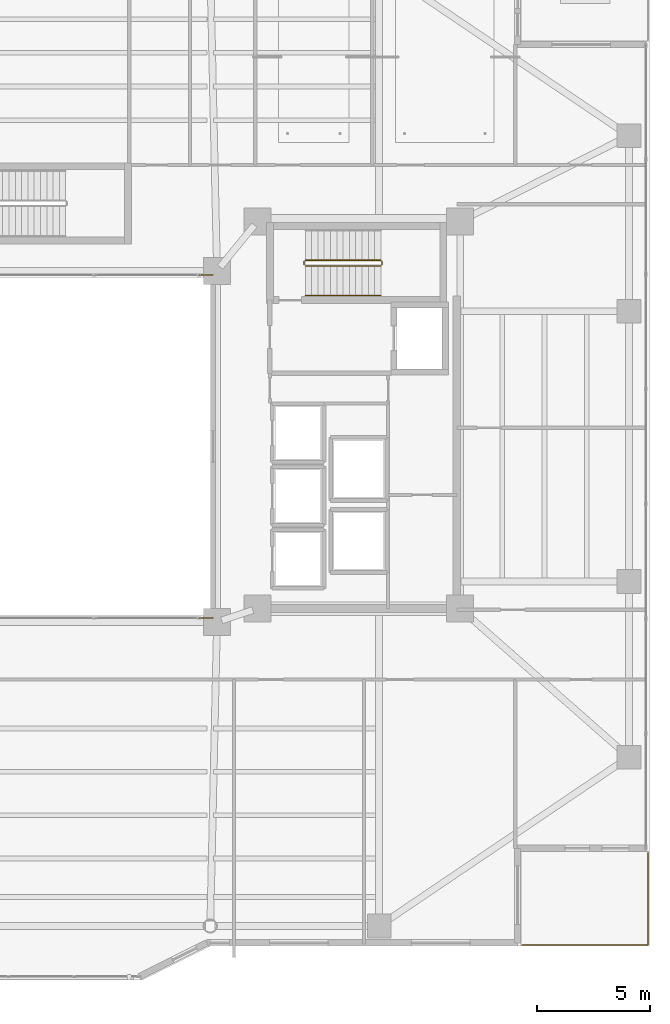
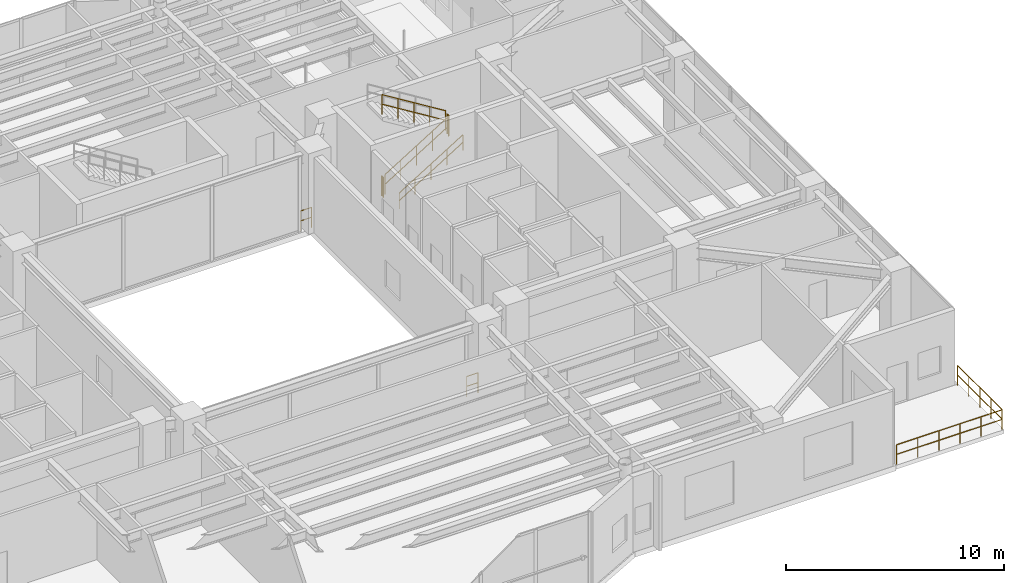
# One storey, part 35 of 37: 9 railings.
"""IFC4 building model written with IfcOpenShell, lengths in metres."""

from ifc_helpers import new_model, si_unit, direction, frame, origin, origin_2d, place, context, subcontext, project, spatial, circle, extrude, material, type_object, element, save


model = new_model("IFC4")

# Units and contexts
model_context = context("Model", 3, precision=1e-05, world=origin(), true_north=direction((0.0, 1.0)))
body_context = subcontext(model_context, "Body", "Model", "MODEL_VIEW")
ifc_project = project(units=[si_unit("LENGTHUNIT", "METRE"), si_unit("AREAUNIT", "SQUARE_METRE"), si_unit("VOLUMEUNIT", "CUBIC_METRE"), si_unit("PLANEANGLEUNIT", "RADIAN"), si_unit("MASSUNIT", "GRAM", prefix="KILO")], contexts=[model_context])

# Site, building, storey
site_placement = place(None, origin())
site = spatial("IfcSite", under=ifc_project, at=site_placement, CompositionType="ELEMENT")
building_placement = place(site_placement, origin())
building = spatial("IfcBuilding", under=site, at=building_placement, Name="Tarnavaz Court Tower", CompositionType="ELEMENT")
storey_placement = place(building_placement, frame((0.0, 0.0, 118.5)))
storey = spatial("IfcBuildingStorey", under=building, at=storey_placement, Name="L32", CompositionType="ELEMENT", Elevation=118.5)

# Railings
ifc_material_1 = material(Name="Anodised Aluminium 6063-T6 and Laminated Safety Glass", Category="aluminium")
railing_type_1 = type_object("IfcRailingType", Name="RL-BAL-1120", PredefinedType="BALUSTRADE", material=ifc_material_1)
railing_1_placement = place(storey_placement, frame((7.02001953125, -7.6201171875, 0.0)))
element("IfcRailing", 1, at=railing_1_placement, inside=storey, type_object=railing_type_1, Name="L32 Courtyard Corner Balustrade S-B", PredefinedType="BALUSTRADE", context=body_context, shape_type="SweptSolid", body=[
    extrude(circle(Radius=0.02392578125, at=origin_2d()), frame((0.0, 0.0, 1.1259765625), z_axis=(1.0, 0.0, 0.0), x_axis=(0.0, 1.0, 0.0)), (0.0, 0.0, 1.0), 0.60009765625),
    extrude(circle(Radius=0.02392578125, at=origin_2d()), frame((0.0, 0.0, 0.574951171875), z_axis=(1.0, 0.0, 0.0), x_axis=(0.0, 1.0, 0.0)), (0.0, 0.0, 1.0), 0.60009765625),
    extrude(circle(Radius=0.02099609375, at=origin_2d()), origin(), (0.0, 0.0, 1.0), 1.101806640625),
    extrude(circle(Radius=0.02099609375, at=origin_2d()), frame((0.60009765625, 0.0, 0.0)), (0.0, 0.0, 1.0), 1.101806640625),
])
railing_2_placement = place(storey_placement, frame((7.6201171875, 7.6201171875, 0.0)))
element("IfcRailing", 2, at=railing_2_placement, inside=storey, type_object=railing_type_1, Name="L32 Courtyard Corner Balustrade N-A", PredefinedType="BALUSTRADE", context=body_context, shape_type="SweptSolid", body=[
    extrude(circle(Radius=0.02392578125, at=origin_2d()), frame((0.0, 0.0, 1.1259765625), z_axis=(-1.0, 0.0, 0.0), x_axis=(0.0, -1.0, 0.0)), (0.0, 0.0, 1.0), 0.60009765625),
    extrude(circle(Radius=0.02392578125, at=origin_2d()), frame((0.0, 0.0, 0.574951171875), z_axis=(-1.0, 0.0, 0.0), x_axis=(0.0, -1.0, 0.0)), (0.0, 0.0, 1.0), 0.60009765625),
    extrude(circle(Radius=0.02099609375, at=origin_2d()), origin(), (0.0, 0.0, 1.0), 1.101806640625),
    extrude(circle(Radius=0.02099609375, at=origin_2d()), frame((-0.60009765625, 0.0, 0.0)), (0.0, 0.0, 1.0), 1.101806640625),
])
railing_3_placement = place(storey_placement, frame((21.360107421875, -22.139892578125, 0.0)))
element("IfcRailing", 3, at=railing_3_placement, inside=storey, type_object=railing_type_1, Name="L32 Terrace 3 S Perimeter Balustrade", PredefinedType="BALUSTRADE", context=body_context, shape_type="SweptSolid", body=[
    extrude(circle(Radius=0.02392578125, at=origin_2d()), frame((0.0, 0.0, 1.09619140625), z_axis=(1.0, 0.0, 0.0), x_axis=(0.0, 1.0, 0.0)), (0.0, 0.0, 1.0), 5.579833984375),
    extrude(circle(Radius=0.02392578125, at=origin_2d()), frame((0.0, 0.0, 0.56005859375), z_axis=(1.0, 0.0, 0.0), x_axis=(0.0, 1.0, 0.0)), (0.0, 0.0, 1.0), 5.579833984375),
    extrude(circle(Radius=0.02099609375, at=origin_2d()), origin(), (0.0, 0.0, 1.0), 1.072021484375),
    extrude(circle(Radius=0.02099609375, at=origin_2d()), frame((1.115966796875, 0.0, 0.0)), (0.0, 0.0, 1.0), 1.072021484375),
    extrude(circle(Radius=0.02099609375, at=origin_2d()), frame((2.23193359375, 0.0, 0.0)), (0.0, 0.0, 1.0), 1.072021484375),
    extrude(circle(Radius=0.02099609375, at=origin_2d()), frame((3.347900390625, 0.0, 0.0)), (0.0, 0.0, 1.0), 1.072021484375),
    extrude(circle(Radius=0.02099609375, at=origin_2d()), frame((4.4638671875, 0.0, 0.0)), (0.0, 0.0, 1.0), 1.072021484375),
    extrude(circle(Radius=0.02099609375, at=origin_2d()), frame((5.579833984375, 0.0, 0.0)), (0.0, 0.0, 1.0), 1.072021484375),
])
railing_4_placement = place(storey_placement, frame((26.93994140625, -22.139892578125, 0.0)))
element("IfcRailing", 4, at=railing_4_placement, inside=storey, type_object=railing_type_1, Name="L32 Terrace 3 E Perimeter Balustrade", PredefinedType="BALUSTRADE", context=body_context, shape_type="SweptSolid", body=[
    extrude(circle(Radius=0.02392578125, at=origin_2d()), frame((0.0, 0.0, 1.09619140625), z_axis=(0.0, 1.0, 0.0), x_axis=(-1.0, 0.0, 0.0)), (0.0, 0.0, 1.0), 4.079833984375),
    extrude(circle(Radius=0.02392578125, at=origin_2d()), frame((0.0, 0.0, 0.56005859375), z_axis=(0.0, 1.0, 0.0), x_axis=(-1.0, 0.0, 0.0)), (0.0, 0.0, 1.0), 4.079833984375),
    extrude(circle(Radius=0.02099609375, at=origin_2d()), origin(), (0.0, 0.0, 1.0), 1.072021484375),
    extrude(circle(Radius=0.02099609375, at=origin_2d()), frame((0.0, 1.02001953125, 0.0)), (0.0, 0.0, 1.0), 1.072021484375),
    extrude(circle(Radius=0.02099609375, at=origin_2d()), frame((0.0, 2.0400390625, 0.0)), (0.0, 0.0, 1.0), 1.072021484375),
    extrude(circle(Radius=0.02099609375, at=origin_2d()), frame((0.0, 3.059814453125, 0.0)), (0.0, 0.0, 1.0), 1.072021484375),
    extrude(circle(Radius=0.02099609375, at=origin_2d()), frame((0.0, 4.079833984375, 0.0)), (0.0, 0.0, 1.0), 1.072021484375),
])
ifc_material_2 = material(Name="Brushed Stainless Steel", Category="steel")
railing_type_2 = type_object("IfcRailingType", Name="RL-HANDRAIL-900", PredefinedType="HANDRAIL", material=ifc_material_2)
railing_5_placement = place(storey_placement, frame((11.719970703125, 6.699951171875, 0.173095703125)))
element("IfcRailing", 5, at=railing_5_placement, inside=storey, type_object=railing_type_2, Name="L32 ST-E1 stair handrail 1", PredefinedType="HANDRAIL", context=body_context, shape_type="SweptSolid", body=[
    extrude(circle(Radius=0.02392578125, at=origin_2d()), frame((0.0, 0.0, 0.8759765625), z_axis=(0.850623216509, 0.0, 0.525775754039), x_axis=(0.0, 1.0, 0.0)), (0.0, 0.0, 1.0), 3.9501953125),
    extrude(circle(Radius=0.02392578125, at=origin_2d()), frame((0.0, 0.0, 0.449951171875), z_axis=(0.850623216509, 0.0, 0.525775754039), x_axis=(0.0, 1.0, 0.0)), (0.0, 0.0, 1.0), 3.9501953125),
    extrude(circle(Radius=0.02099609375, at=origin_2d()), origin(), (0.0, 0.0, 1.0), 0.851806640625),
    extrude(circle(Radius=0.02099609375, at=origin_2d()), frame((0.840087890625, 0.0, 0.519287109375)), (0.0, 0.0, 1.0), 0.851806640625),
    extrude(circle(Radius=0.02099609375, at=origin_2d()), frame((1.68017578125, 0.0, 1.03857421875)), (0.0, 0.0, 1.0), 0.851806640625),
    extrude(circle(Radius=0.02099609375, at=origin_2d()), frame((2.52001953125, 0.0, 1.5576171875)), (0.0, 0.0, 1.0), 0.851806640625),
    extrude(circle(Radius=0.02099609375, at=origin_2d()), frame((3.360107421875, 0.0, 2.076904296875)), (0.0, 0.0, 1.0), 0.851806640625),
])
ifc_material_3 = material(Name="Galvanized Painted Tubular Steel", Category="steel")
railing_type_3 = type_object("IfcRailingType", Name="RL-STGUARD-1120", PredefinedType="GUARDRAIL", material=ifc_material_3)
railing_6_placement = place(storey_placement, frame((11.719970703125, 8.02001953125, 0.173095703125)))
element("IfcRailing", 6, at=railing_6_placement, inside=storey, type_object=railing_type_3, Name="L32 ST-E1 stair guard 1", PredefinedType="GUARDRAIL", context=body_context, shape_type="SweptSolid", body=[
    extrude(circle(Radius=0.02392578125, at=origin_2d()), frame((0.0, 0.0, 1.09619140625), z_axis=(0.850623216509, 0.0, 0.525775754039), x_axis=(0.0, 1.0, 0.0)), (0.0, 0.0, 1.0), 3.9501953125),
    extrude(circle(Radius=0.02392578125, at=origin_2d()), frame((0.0, 0.0, 0.56005859375), z_axis=(0.850623216509, 0.0, 0.525775754039), x_axis=(0.0, 1.0, 0.0)), (0.0, 0.0, 1.0), 3.9501953125),
    extrude(circle(Radius=0.02099609375, at=origin_2d()), origin(), (0.0, 0.0, 1.0), 1.072021484375),
    extrude(circle(Radius=0.02099609375, at=origin_2d()), frame((0.840087890625, 0.0, 0.519287109375)), (0.0, 0.0, 1.0), 1.072021484375),
    extrude(circle(Radius=0.02099609375, at=origin_2d()), frame((1.68017578125, 0.0, 1.03857421875)), (0.0, 0.0, 1.0), 1.072021484375),
    extrude(circle(Radius=0.02099609375, at=origin_2d()), frame((2.52001953125, 0.0, 1.5576171875)), (0.0, 0.0, 1.0), 1.072021484375),
    extrude(circle(Radius=0.02099609375, at=origin_2d()), frame((3.360107421875, 0.0, 2.076904296875)), (0.0, 0.0, 1.0), 1.072021484375),
])
railing_7_placement = place(storey_placement, frame((15.1298828125, 8.070068359375, 2.25)))
element("IfcRailing", 7, at=railing_7_placement, inside=storey, type_object=railing_type_3, Name="L32 ST-E1 stair guard 2", PredefinedType="GUARDRAIL", context=body_context, shape_type="SweptSolid", body=[
    extrude(circle(Radius=0.02392578125, at=origin_2d()), frame((0.0, 0.0, 1.09619140625), z_axis=(0.0, 1.0, 0.0), x_axis=(-1.0, 0.0, 0.0)), (0.0, 0.0, 1.0), 0.14990234375),
    extrude(circle(Radius=0.02392578125, at=origin_2d()), frame((0.0, 0.0, 0.56005859375), z_axis=(0.0, 1.0, 0.0), x_axis=(-1.0, 0.0, 0.0)), (0.0, 0.0, 1.0), 0.14990234375),
    extrude(circle(Radius=0.02099609375, at=origin_2d()), origin(), (0.0, 0.0, 1.0), 1.072021484375),
    extrude(circle(Radius=0.02099609375, at=origin_2d()), frame((0.0, 0.14990234375, 0.0)), (0.0, 0.0, 1.0), 1.072021484375),
])
railing_8_placement = place(storey_placement, frame((15.080078125, 8.27001953125, 2.423095703125)))
element("IfcRailing", 8, at=railing_8_placement, inside=storey, type_object=railing_type_3, Name="L32 ST-E1 stair guard 3", PredefinedType="GUARDRAIL", context=body_context, shape_type="SweptSolid", body=[
    extrude(circle(Radius=0.02392578125, at=origin_2d()), frame((0.0, 0.0, 1.09619140625), z_axis=(-0.850623216509, 0.0, 0.525775754039), x_axis=(0.0, -1.0, 0.0)), (0.0, 0.0, 1.0), 3.9501953125),
    extrude(circle(Radius=0.02392578125, at=origin_2d()), frame((0.0, 0.0, 0.56005859375), z_axis=(-0.850623216509, 0.0, 0.525775754039), x_axis=(0.0, -1.0, 0.0)), (0.0, 0.0, 1.0), 3.9501953125),
    extrude(circle(Radius=0.02099609375, at=origin_2d()), origin(), (0.0, 0.0, 1.0), 1.072021484375),
    extrude(circle(Radius=0.02099609375, at=origin_2d()), frame((-0.840087890625, 0.0, 0.519287109375)), (0.0, 0.0, 1.0), 1.072021484375),
    extrude(circle(Radius=0.02099609375, at=origin_2d()), frame((-1.68017578125, 0.0, 1.03857421875)), (0.0, 0.0, 1.0), 1.072021484375),
    extrude(circle(Radius=0.02099609375, at=origin_2d()), frame((-2.52001953125, 0.0, 1.5576171875)), (0.0, 0.0, 1.0), 1.072021484375),
    extrude(circle(Radius=0.02099609375, at=origin_2d()), frame((-3.360107421875, 0.0, 2.076904296875)), (0.0, 0.0, 1.0), 1.072021484375),
])
railing_9_placement = place(storey_placement, frame((11.669921875, 8.070068359375, 0.0)))
element("IfcRailing", 9, at=railing_9_placement, inside=storey, type_object=railing_type_3, Name="L32 ST-E1 stair guard 4", PredefinedType="GUARDRAIL", context=body_context, shape_type="SweptSolid", body=[
    extrude(circle(Radius=0.02392578125, at=origin_2d()), frame((0.0, 0.0, 1.09619140625), z_axis=(0.0, 1.0, 0.0), x_axis=(-1.0, 0.0, 0.0)), (0.0, 0.0, 1.0), 0.14990234375),
    extrude(circle(Radius=0.02392578125, at=origin_2d()), frame((0.0, 0.0, 0.56005859375), z_axis=(0.0, 1.0, 0.0), x_axis=(-1.0, 0.0, 0.0)), (0.0, 0.0, 1.0), 0.14990234375),
    extrude(circle(Radius=0.02099609375, at=origin_2d()), origin(), (0.0, 0.0, 1.0), 1.072021484375),
    extrude(circle(Radius=0.02099609375, at=origin_2d()), frame((0.0, 0.14990234375, 0.0)), (0.0, 0.0, 1.0), 1.072021484375),
])

save(model, "model.ifc")
